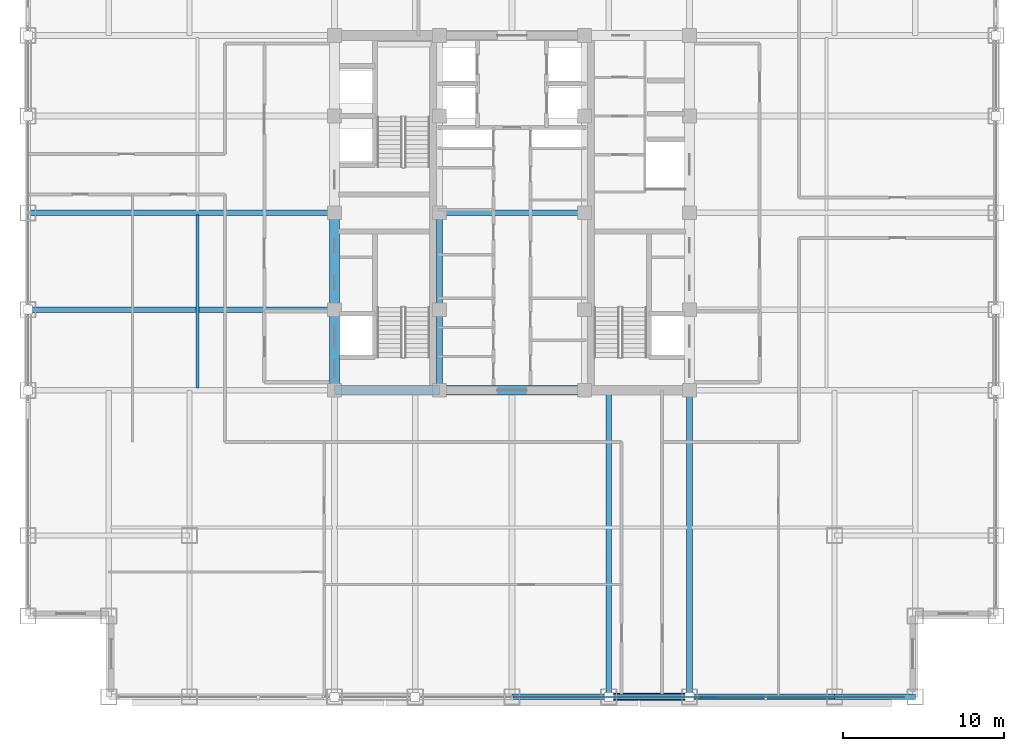
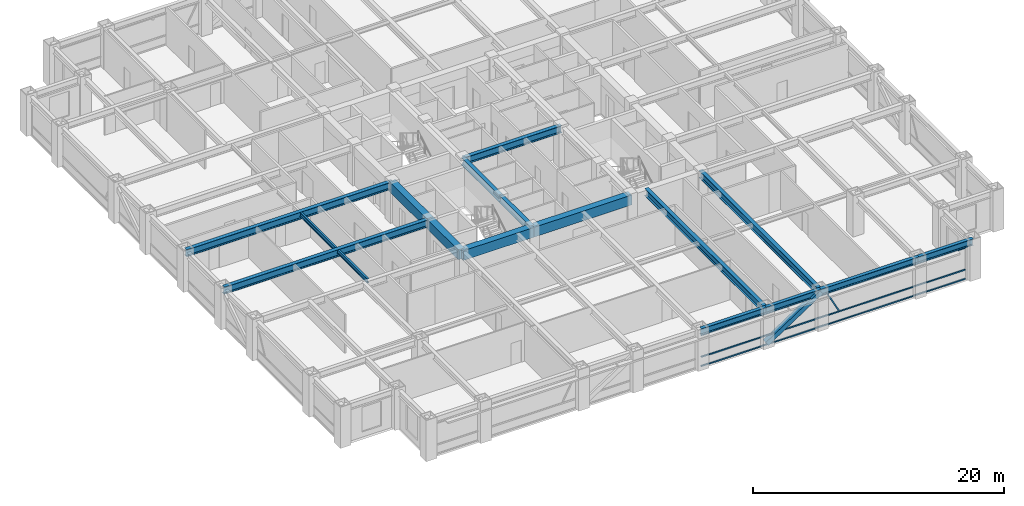
# One storey, part 7 of 29: 16 beams, 5 members, 1 element without a shape of its own.
"""IFC4 building model written with IfcOpenShell, lengths in metres."""

from ifc_helpers import new_model, si_unit, direction, frame, origin, origin_2d, place, context, subcontext, project, spatial, rectangle, hollow_rectangle, i_section, extrude, source, transform, mapped, material, material_profile, profile_set, type_object, element, aggregate, save


model = new_model("IFC4")

# Units and contexts
model_context = context("Model", 3, precision=1e-05, world=origin(), true_north=direction((0.0, 1.0)))
body_context = subcontext(model_context, "Body", "Model", "MODEL_VIEW")
ifc_project = project(units=[si_unit("LENGTHUNIT", "METRE"), si_unit("AREAUNIT", "SQUARE_METRE"), si_unit("VOLUMEUNIT", "CUBIC_METRE"), si_unit("PLANEANGLEUNIT", "RADIAN"), si_unit("MASSUNIT", "GRAM", prefix="KILO")], contexts=[model_context])

# Site, building, storey
site_placement = place(None, origin())
site = spatial("IfcSite", under=ifc_project, at=site_placement, CompositionType="ELEMENT")
building_placement = place(site_placement, origin())
building = spatial("IfcBuilding", under=site, at=building_placement, Name="Khorayat Bourse Tower", CompositionType="ELEMENT")
storey_placement = place(building_placement, frame((0.0, 0.0, 243.10009765625)))
storey = spatial("IfcBuildingStorey", under=building, at=storey_placement, Name="L57", CompositionType="ELEMENT", Elevation=243.10009765625)

# Beams
ifc_material_1 = material(Name="Steel ASTM A992 Grade 50", Category="steel")
ifc_material_profile_1 = material_profile(ifc_material_1, i_section(OverallWidth=0.35498046875, OverallDepth=0.695068359375, WebThickness=0.015380859375, FlangeThickness=0.02490234375, FilletRadius=0.01806640625, at=origin_2d()), Name="W690X217")
ifc_profile_set_1 = profile_set([ifc_material_profile_1], Name="Steel ASTM A992 Grade 50")
beam_type_1 = type_object("IfcBeamType", Name="BM-GIRD-690", PredefinedType="BEAM", material=ifc_profile_set_1)
shared_shape_1 = source(origin(), body_context, "Body", "SweptSolid", [
    extrude(i_section(OverallWidth=0.35498046875, OverallDepth=0.695068359375, WebThickness=0.015380859375, FlangeThickness=0.02490234375, FilletRadius=0.01806640625, at=origin_2d()), origin(), (0.0, 0.0, 1.0), 5.0),
])
beam_1_placement = place(storey_placement, frame((-4.5, -11.0, 3.432373046875), z_axis=(0.0, 1.0, 0.0), x_axis=(-1.0, 0.0, 0.0)))
element("IfcBeam", 1, at=beam_1_placement, inside=storey, type_object=beam_type_1, Name="L57 BM-GIRD-690 BM-L57-CRX-05", PredefinedType="BEAM", context=body_context, shape_type="MappedRepresentation", body=[
    mapped(shared_shape_1, transform((0.0, 0.0, 0.0), scale=1.0)),
])
shared_shape_2 = source(origin(), body_context, "Body", "SweptSolid", [
    extrude(i_section(OverallWidth=0.35498046875, OverallDepth=0.695068359375, WebThickness=0.015380859375, FlangeThickness=0.02490234375, FilletRadius=0.01806640625, at=origin_2d()), origin(), (0.0, 0.0, 1.0), 6.0),
])
beam_2_placement = place(storey_placement, frame((-4.5, -6.0, 3.432373046875), z_axis=(0.0, 1.0, 0.0), x_axis=(-1.0, 0.0, 0.0)))
element("IfcBeam", 2, at=beam_2_placement, inside=storey, type_object=beam_type_1, Name="L57 BM-GIRD-690 BM-L57-CRX-06", PredefinedType="BEAM", context=body_context, shape_type="MappedRepresentation", body=[
    mapped(shared_shape_2, transform((0.0, 0.0, 0.0), scale=1.0)),
])
shared_shape_3 = source(origin(), body_context, "Body", "SweptSolid", [
    extrude(i_section(OverallWidth=0.35498046875, OverallDepth=0.695068359375, WebThickness=0.015380859375, FlangeThickness=0.02490234375, FilletRadius=0.01806640625, at=origin_2d()), origin(), (0.0, 0.0, 1.0), 9.0),
])
beam_3_placement = place(storey_placement, frame((-4.5, 0.0, 3.432373046875), z_axis=(1.0, 0.0, 0.0), x_axis=(0.0, 1.0, 0.0)))
element("IfcBeam", 3, at=beam_3_placement, inside=storey, type_object=beam_type_1, Name="L57 BM-GIRD-690 BM-L57-CRY-23", PredefinedType="BEAM", context=body_context, shape_type="MappedRepresentation", body=[
    mapped(shared_shape_3, transform((0.0, 0.0, 0.0), scale=1.0)),
])
ifc_material_profile_2 = material_profile(ifc_material_1, i_section(OverallWidth=0.180908203125, OverallDepth=0.4169921875, WebThickness=0.010986328125, FlangeThickness=0.018310546875, FilletRadius=0.011962890625, at=origin_2d()), Name="W410X85")
ifc_profile_set_2 = profile_set([ifc_material_profile_2], Name="Steel ASTM A992 Grade 50")
beam_type_2 = type_object("IfcBeamType", Name="BM-JOIST-410", PredefinedType="JOIST", material=ifc_profile_set_2)
shared_shape_4 = source(origin(), body_context, "Body", "SweptSolid", [
    extrude(i_section(OverallWidth=0.180908203125, OverallDepth=0.4169921875, WebThickness=0.010986328125, FlangeThickness=0.018310546875, FilletRadius=0.011962890625, at=origin_2d()), origin(), (0.0, 0.0, 1.0), 10.740234375),
])
beam_4_placement = place(storey_placement, frame((-19.5, -10.8701171875, 3.5712890625), z_axis=(0.0, 1.0, 0.0), x_axis=(-1.0, 0.0, 0.0)))
element("IfcBeam", 4, at=beam_4_placement, inside=storey, type_object=beam_type_2, Name="L57 BM-JOIST-410 BM-L57-JSTY-102", PredefinedType="JOIST", context=body_context, shape_type="MappedRepresentation", body=[
    mapped(shared_shape_4, transform((0.0, 0.0, 0.0), scale=1.0)),
])
ifc_material_profile_3 = material_profile(ifc_material_1, i_section(OverallWidth=0.324951171875, OverallDepth=0.615966796875, WebThickness=0.013916015625, FlangeThickness=0.021484375, FilletRadius=0.01611328125, at=origin_2d()), Name="W610X174")
ifc_profile_set_3 = profile_set([ifc_material_profile_3], Name="Steel ASTM A992 Grade 50")
beam_type_3 = type_object("IfcBeamType", Name="BM-SPAN-610", PredefinedType="SPANDREL", material=ifc_profile_set_3)
shared_shape_5 = source(origin(), body_context, "Body", "SweptSolid", [
    extrude(i_section(OverallWidth=0.324951171875, OverallDepth=0.615966796875, WebThickness=0.013916015625, FlangeThickness=0.021484375, FilletRadius=0.01611328125, at=origin_2d()), origin(), (0.0, 0.0, 1.0), 9.0),
])
beam_5_placement = place(storey_placement, frame((11.0, -30.0, 3.471923828125), z_axis=(1.0, 0.0, 0.0), x_axis=(0.0, 1.0, 0.0)))
element("IfcBeam", 5, at=beam_5_placement, inside=storey, type_object=beam_type_3, Name="L57 BM-SPAN-610 BM-L57-SPN-030", PredefinedType="SPANDREL", context=body_context, shape_type="MappedRepresentation", body=[
    mapped(shared_shape_5, transform((0.0, 0.0, 0.0), scale=1.0)),
])
shared_shape_6 = source(origin(), body_context, "Body", "SweptSolid", [
    extrude(i_section(OverallWidth=0.324951171875, OverallDepth=0.615966796875, WebThickness=0.013916015625, FlangeThickness=0.021484375, FilletRadius=0.01611328125, at=origin_2d()), origin(), (0.0, 0.0, 1.0), 5.0),
])
for number, where, z_axis, x_axis, name in (
    (6, (6.0, -30.0, 3.471923828125), (1.0, 0.0, 0.0), (0.0, 1.0, 0.0), "L57 BM-SPAN-610 BM-L57-SPN-029"),
    (7, (20.0, -30.0, 3.471923828125), (1.0, 0.0, 0.0), (0.0, 1.0, 0.0), "L57 BM-SPAN-610 BM-L57-SPN-031"),
):
    element("IfcBeam", number, at=place(storey_placement, frame(where, z_axis=z_axis, x_axis=x_axis)), inside=storey, type_object=beam_type_3, Name=name, PredefinedType="SPANDREL", context=body_context, shape_type="MappedRepresentation", body=[
        mapped(shared_shape_6, transform((0.0, 0.0, 0.0), scale=1.0)),
    ])
shared_shape_7 = source(origin(), body_context, "Body", "SweptSolid", [
    extrude(i_section(OverallWidth=0.324951171875, OverallDepth=0.615966796875, WebThickness=0.013916015625, FlangeThickness=0.021484375, FilletRadius=0.01611328125, at=origin_2d()), origin(), (0.0, 0.0, 1.0), 6.0),
])
beam_6_placement = place(storey_placement, frame((0.0, -30.0, 3.471923828125), z_axis=(1.0, 0.0, 0.0), x_axis=(0.0, 1.0, 0.0)))
element("IfcBeam", 8, at=beam_6_placement, inside=storey, type_object=beam_type_3, Name="L57 BM-SPAN-610 BM-L57-SPN-028", PredefinedType="SPANDREL", context=body_context, shape_type="MappedRepresentation", body=[
    mapped(shared_shape_7, transform((0.0, 0.0, 0.0), scale=1.0)),
])
ifc_material_2 = material(Name="Concrete C60/75", Category="concrete")
ifc_material_profile_4 = material_profile(ifc_material_2, rectangle(XDim=0.60009765625, YDim=0.949951171875, at=origin_2d()), Name="RC 600x950")
ifc_profile_set_4 = profile_set([ifc_material_profile_4], Name="Concrete C60/75")
beam_type_4 = type_object("IfcBeamType", Name="BM-COUP-950", PredefinedType="BEAM", material=ifc_profile_set_4)
shared_shape_8 = source(origin(), body_context, "Body", "SweptSolid", [
    extrude(rectangle(XDim=0.60009765625, YDim=0.949951171875, at=origin_2d()), origin(), (0.0, 0.0, 1.0), 5.0),
])
beam_7_placement = place(storey_placement, frame((-11.0, -11.0, 3.304931640625), z_axis=(0.0, 1.0, 0.0), x_axis=(-1.0, 0.0, 0.0)))
element("IfcBeam", 9, at=beam_7_placement, inside=storey, type_object=beam_type_4, Name="L57 BM-COUP-950 BM-L57-CRX-01", PredefinedType="BEAM", context=body_context, shape_type="MappedRepresentation", body=[
    mapped(shared_shape_8, transform((0.0, 0.0, 0.0), scale=1.0)),
])
shared_shape_9 = source(origin(), body_context, "Body", "SweptSolid", [
    extrude(rectangle(XDim=0.60009765625, YDim=0.949951171875, at=origin_2d()), origin(), (0.0, 0.0, 1.0), 6.0),
])
beam_8_placement = place(storey_placement, frame((-11.0, -6.0, 3.304931640625), z_axis=(0.0, 1.0, 0.0), x_axis=(-1.0, 0.0, 0.0)))
element("IfcBeam", 10, at=beam_8_placement, inside=storey, type_object=beam_type_4, Name="L57 BM-COUP-950 BM-L57-CRX-02", PredefinedType="BEAM", context=body_context, shape_type="MappedRepresentation", body=[
    mapped(shared_shape_9, transform((0.0, 0.0, 0.0), scale=1.0)),
])
shared_shape_10 = source(origin(), body_context, "Body", "SweptSolid", [
    extrude(rectangle(XDim=0.60009765625, YDim=0.949951171875, at=origin_2d()), origin(), (0.0, 0.0, 1.0), 6.5),
])
beam_9_placement = place(storey_placement, frame((-11.0, -11.0, 3.304931640625), z_axis=(1.0, 0.0, 0.0), x_axis=(0.0, 1.0, 0.0)))
element("IfcBeam", 11, at=beam_9_placement, inside=storey, type_object=beam_type_4, Name="L57 BM-COUP-950 BM-L57-CRY-17", PredefinedType="BEAM", context=body_context, shape_type="MappedRepresentation", body=[
    mapped(shared_shape_10, transform((0.0, 0.0, 0.0), scale=1.0)),
])
shared_shape_11 = source(origin(), body_context, "Body", "SweptSolid", [
    extrude(rectangle(XDim=0.60009765625, YDim=0.949951171875, at=origin_2d()), origin(), (0.0, 0.0, 1.0), 9.0),
])
beam_10_placement = place(storey_placement, frame((-4.5, -11.0, 3.304931640625), z_axis=(1.0, 0.0, 0.0), x_axis=(0.0, 1.0, 0.0)))
element("IfcBeam", 12, at=beam_10_placement, inside=storey, type_object=beam_type_4, Name="L57 BM-COUP-950 BM-L57-CRY-18", PredefinedType="BEAM", context=body_context, shape_type="MappedRepresentation", body=[
    mapped(shared_shape_11, transform((0.0, 0.0, 0.0), scale=1.0)),
])
shared_shape_12 = source(origin(), body_context, "Body", "SweptSolid", [
    extrude(i_section(OverallWidth=0.35498046875, OverallDepth=0.695068359375, WebThickness=0.015380859375, FlangeThickness=0.02490234375, FilletRadius=0.01806640625, at=origin_2d()), origin(), (0.0, 0.0, 1.0), 19.0),
])
for number, where, z_axis, x_axis, name in (
    (13, (6.0, -30.0, 3.432373046875), (0.0, 1.0, 0.0), (-1.0, 0.0, 0.0), "L57 BM-GIRD-690 BM-L57-RADY-071"),
    (14, (11.0, -30.0, 3.432373046875), (0.0, 1.0, 0.0), (-1.0, 0.0, 0.0), "L57 BM-GIRD-690 BM-L57-RADY-073"),
    (15, (-30.0, -6.0, 3.432373046875), (1.0, 0.0, 0.0), (0.0, 1.0, 0.0), "L57 BM-GIRD-690 BM-L57-RADX-077"),
    (16, (-30.0, 0.0, 3.432373046875), (1.0, 0.0, 0.0), (0.0, 1.0, 0.0), "L57 BM-GIRD-690 BM-L57-RADX-079"),
):
    element("IfcBeam", number, at=place(storey_placement, frame(where, z_axis=z_axis, x_axis=x_axis)), inside=storey, type_object=beam_type_1, Name=name, PredefinedType="BEAM", context=body_context, shape_type="MappedRepresentation", body=[
        mapped(shared_shape_12, transform((0.0, 0.0, 0.0), scale=1.0)),
    ])

# Member
ifc_material_3 = material(Name="Steel EN 10025-4 S460M", Category="steel")
ifc_material_profile_5 = material_profile(ifc_material_3, hollow_rectangle(XDim=0.449951171875, YDim=0.449951171875, WallThickness=0.02490234375, at=origin_2d()), Name="HSS 450x450x25")
ifc_profile_set_5 = profile_set([ifc_material_profile_5], Name="Steel EN 10025-4 S460M")
member_type_1 = type_object("IfcMemberType", Name="MBR-TUBE-450", PredefinedType="BRACE", material=ifc_profile_set_5)
shared_shape_13 = source(origin(), body_context, "Body", "SweptSolid", [
    extrude(hollow_rectangle(XDim=0.449951171875, YDim=0.449951171875, WallThickness=0.02490234375, at=origin_2d()), origin(), (0.0, 0.0, 1.0), 5.979736328125),
])
member_1_placement = place(storey_placement, frame((6.0, -30.0, 0.25), z_axis=(0.836160261256, 0.0, 0.548485202623), x_axis=(0.0, 1.0, 0.0)))
element("IfcMember", 17, at=member_1_placement, inside=storey, type_object=member_type_1, Name="L57 Perimeter Tube Brace 02", PredefinedType="BRACE", context=body_context, shape_type="MappedRepresentation", body=[
    mapped(shared_shape_13, transform((0.0, 0.0, 0.0), scale=1.0)),
])

# Curtain wall, members
ifc_material_4 = material(Name="Aluminium EN AW-6063 T6", Category="aluminium")
curtain_wall_type = type_object("IfcCurtainWallType", Name="CW-SYS-03", PredefinedType="NOTDEFINED", material=ifc_material_4)
curtain_wall_placement = place(storey_placement, origin())
curtain_wall = element("IfcCurtainWall", 18, at=curtain_wall_placement, inside=storey, type_object=curtain_wall_type, Name="L57 Curtain Wall CW-L57-S1", PredefinedType="NOTDEFINED")
ifc_material_profile_6 = material_profile(ifc_material_4, hollow_rectangle(XDim=0.1201171875, YDim=0.1201171875, WallThickness=0.0048828125, at=origin_2d()), Name="ALU 120x120x5")
ifc_profile_set_6 = profile_set([ifc_material_profile_6], Name="Aluminium EN AW-6063 T6")
member_type_2 = type_object("IfcMemberType", Name="CWM-DIAG-120", PredefinedType="MULLION", material=ifc_profile_set_6)
shared_shape_14 = source(origin(), body_context, "Body", "SweptSolid", [
    extrude(hollow_rectangle(XDim=0.1201171875, YDim=0.1201171875, WallThickness=0.0048828125, at=origin_2d()), origin(), (0.0, 0.0, 1.0), 2.079345703125),
])
member_2_placement = place(storey_placement, frame((12.67919921875, -30.0, 1.08984375), z_axis=(-0.465760949701, 0.0, 0.884910581773), x_axis=(0.0, -1.0, 0.0)))
member_2 = element("IfcMember", 19, at=member_2_placement, type_object=member_type_2, Name="CW-L57-S1 Faceted Diagonal Mullion 2", PredefinedType="MULLION", context=body_context, shape_type="MappedRepresentation", body=[
    mapped(shared_shape_14, transform((0.0, 0.0, 0.0), scale=1.0)),
])
ifc_material_profile_7 = material_profile(ifc_material_4, hollow_rectangle(XDim=0.1201171875, YDim=0.1201171875, WallThickness=0.0048828125, at=origin_2d()), Name="ALU 120x120x5")
ifc_profile_set_7 = profile_set([ifc_material_profile_7], Name="Aluminium EN AW-6063 T6")
member_type_3 = type_object("IfcMemberType", Name="CWT-HORZ-120", PredefinedType="USERDEFINED", material=ifc_profile_set_7)
shared_shape_15 = source(origin(), body_context, "Body", "SweptSolid", [
    extrude(hollow_rectangle(XDim=0.1201171875, YDim=0.1201171875, WallThickness=0.0048828125, at=origin_2d()), origin(), (0.0, 0.0, 1.0), 24.27001953125),
])
member_3_placement = place(storey_placement, frame((0.06005859375, -30.0, 0.059814453125), z_axis=(1.0, 0.0, 0.0), x_axis=(0.0, 1.0, 0.0)))
member_3 = element("IfcMember", 20, at=member_3_placement, type_object=member_type_3, Name="CW-L57-S1 Horizontal Transom 2-1", ObjectType="TRANSOM", PredefinedType="USERDEFINED", context=body_context, shape_type="MappedRepresentation", body=[
    mapped(shared_shape_15, transform((0.0, 0.0, 0.0), scale=1.0)),
])
member_4_placement = place(storey_placement, frame((0.06005859375, -30.0, 0.949951171875), z_axis=(1.0, 0.0, 0.0), x_axis=(0.0, 1.0, 0.0)))
member_4 = element("IfcMember", 21, at=member_4_placement, type_object=member_type_3, Name="CW-L57-S1 Horizontal Transom 2-2", ObjectType="TRANSOM", PredefinedType="USERDEFINED", context=body_context, shape_type="MappedRepresentation", body=[
    mapped(shared_shape_15, transform((0.0, 0.0, 0.0), scale=1.0)),
])
member_5_placement = place(storey_placement, frame((0.06005859375, -30.0, 3.06982421875), z_axis=(1.0, 0.0, 0.0), x_axis=(0.0, 1.0, 0.0)))
member_5 = element("IfcMember", 22, at=member_5_placement, type_object=member_type_3, Name="CW-L57-S1 Horizontal Transom 2-3", ObjectType="TRANSOM", PredefinedType="USERDEFINED", context=body_context, shape_type="MappedRepresentation", body=[
    mapped(shared_shape_15, transform((0.0, 0.0, 0.0), scale=1.0)),
])
aggregate(curtain_wall, [member_3, member_4, member_5, member_2])

save(model, "model.ifc")
